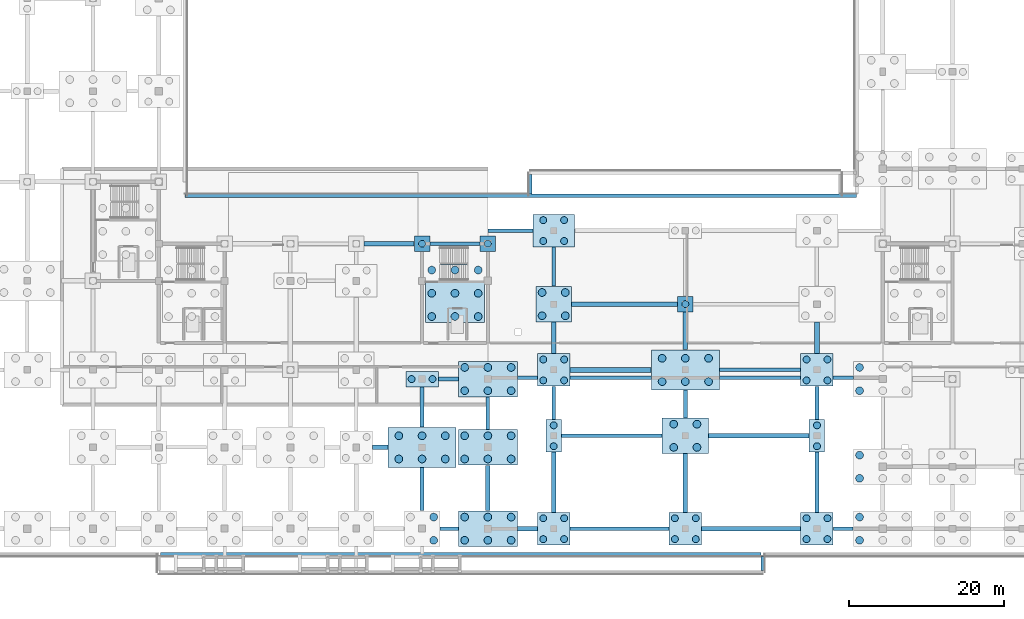
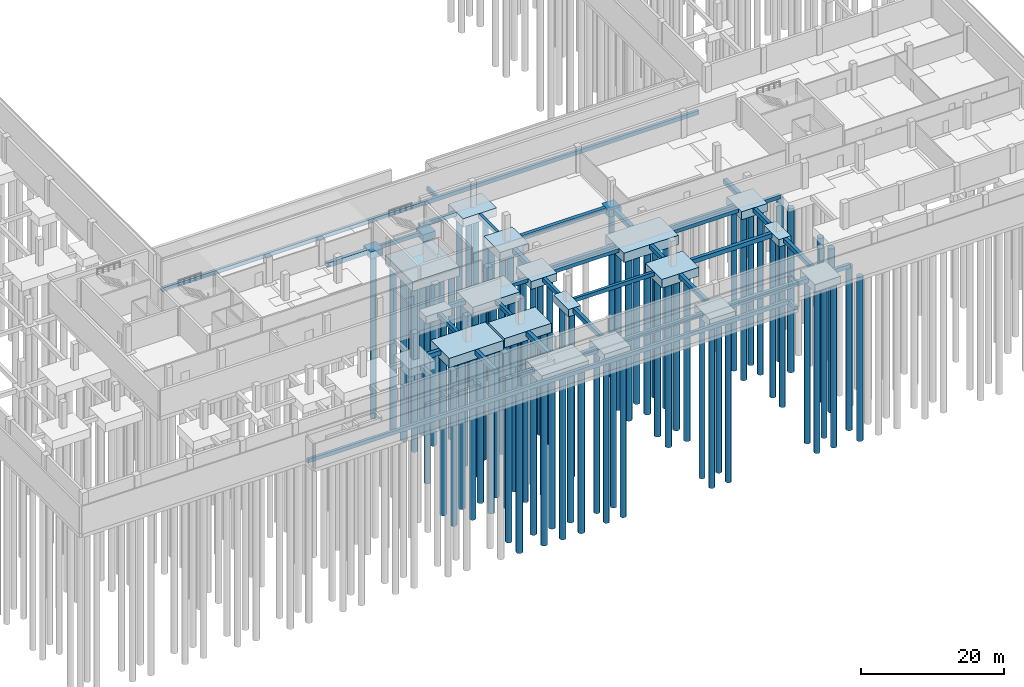
# One storey, part 3 of 25: 88 piles, 57 footings.
"""IFC4 building model written with IfcOpenShell, lengths in metres."""

from ifc_helpers import new_model, si_unit, direction, frame, origin, origin_2d, place, context, subcontext, project, spatial, rectangle, circle, extrude, material, material_profile, profile_set, type_object, element, save


model = new_model("IFC4")

# Units and contexts
model_context = context("Model", 3, precision=1e-05, world=origin(), true_north=direction((0.0, 1.0)))
body_context = subcontext(model_context, "Body", "Model", "MODEL_VIEW")
ifc_project = project(units=[si_unit("LENGTHUNIT", "METRE"), si_unit("AREAUNIT", "SQUARE_METRE"), si_unit("VOLUMEUNIT", "CUBIC_METRE"), si_unit("PLANEANGLEUNIT", "RADIAN"), si_unit("MASSUNIT", "GRAM", prefix="KILO")], contexts=[model_context])

# Site, building, storey
site_placement = place(None, origin())
site = spatial("IfcSite", under=ifc_project, at=site_placement, CompositionType="ELEMENT")
building_placement = place(site_placement, origin())
building = spatial("IfcBuilding", under=site, at=building_placement, Name="Solvikara Media Centre", CompositionType="ELEMENT")
storey_placement = place(building_placement, frame((0.0, 0.0, -4.800048828125)))
storey = spatial("IfcBuildingStorey", under=building, at=storey_placement, Name="B01", CompositionType="ELEMENT", Elevation=-4.800048828125)

# Piles
ifc_material = material(Name="Concrete fc' 35 MPa (C35/45)", Category="concrete")
ifc_material_profile_1 = material_profile(ifc_material, circle(Radius=0.449951171875, at=origin_2d()), Name="BORED PILE D900")
ifc_profile_set_1 = profile_set([ifc_material_profile_1], Name="Concrete fc' 35 MPa (C35/45)")
pile_type_1 = type_object("IfcPileType", Name="BP-01", PredefinedType="BORED", material=ifc_profile_set_1)
for number, where, z_axis, x_axis, name in (
    (1, (68.0, 36.800048828125, -1.099853515625), (0.0, 0.0, -1.0), (1.0, 0.0, 0.0), "PL-073-01"),
    (2, (76.5, 36.800048828125, -1.099853515625), (0.0, 0.0, -1.0), (1.0, 0.0, 0.0), "PL-076-01"),
    (3, (66.64990234375, 19.323974609375, -1.14990234375), (0.0, 0.0, -1.0), (1.0, 0.0, 0.0), "PL-077-01"),
    (4, (69.35009765625, 19.323974609375, -1.14990234375), (0.0, 0.0, -1.0), (1.0, 0.0, 0.0), "PL-077-02"),
    (5, (83.64990234375, -1.35009765625, -1.25), (0.0, 0.0, -1.0), (1.0, 0.0, 0.0), "PL-079-01"),
    (6, (86.35009765625, -1.35009765625, -1.25), (0.0, 0.0, -1.0), (1.0, 0.0, 0.0), "PL-079-02"),
    (7, (83.64990234375, 1.35009765625, -1.25), (0.0, 0.0, -1.0), (1.0, 0.0, 0.0), "PL-079-03"),
    (8, (86.35009765625, 1.35009765625, -1.25), (0.0, 0.0, -1.0), (1.0, 0.0, 0.0), "PL-079-04"),
    (9, (85.0, 10.64990234375, -1.14990234375), (0.0, 0.0, -1.0), (1.0, 0.0, 0.0), "PL-080-01"),
    (10, (85.0, 13.35009765625, -1.14990234375), (0.0, 0.0, -1.0), (1.0, 0.0, 0.0), "PL-080-02"),
    (11, (83.64990234375, 19.14990234375, -1.25), (0.0, 0.0, -1.0), (1.0, 0.0, 0.0), "PL-081-01"),
    (12, (86.35009765625, 19.14990234375, -1.25), (0.0, 0.0, -1.0), (1.0, 0.0, 0.0), "PL-081-02"),
    (13, (83.64990234375, 21.85009765625, -1.25), (0.0, 0.0, -1.0), (1.0, 0.0, 0.0), "PL-081-03"),
    (14, (86.35009765625, 21.85009765625, -1.25), (0.0, 0.0, -1.0), (1.0, 0.0, 0.0), "PL-081-04"),
    (15, (83.64990234375, 37.14990234375, -1.300048828125), (0.0, 0.0, -1.0), (1.0, 0.0, 0.0), "PL-083-01"),
    (16, (86.35009765625, 37.14990234375, -1.300048828125), (0.0, 0.0, -1.0), (1.0, 0.0, 0.0), "PL-083-02"),
    (17, (83.64990234375, 39.85009765625, -1.300048828125), (0.0, 0.0, -1.0), (1.0, 0.0, 0.0), "PL-083-03"),
    (18, (86.35009765625, 39.85009765625, -1.300048828125), (0.0, 0.0, -1.0), (1.0, 0.0, 0.0), "PL-083-04"),
    (19, (100.64990234375, -1.35009765625, -1.25), (0.0, 0.0, -1.0), (1.0, 0.0, 0.0), "PL-084-01"),
    (20, (103.35009765625, -1.35009765625, -1.25), (0.0, 0.0, -1.0), (1.0, 0.0, 0.0), "PL-084-02"),
    (21, (100.64990234375, 1.35009765625, -1.25), (0.0, 0.0, -1.0), (1.0, 0.0, 0.0), "PL-084-03"),
    (22, (103.35009765625, 1.35009765625, -1.25), (0.0, 0.0, -1.0), (1.0, 0.0, 0.0), "PL-084-04"),
    (23, (102.0, 29.0, -1.099853515625), (0.0, 0.0, -1.0), (1.0, 0.0, 0.0), "PL-087-01"),
    (24, (117.64990234375, -1.35009765625, -1.25), (0.0, 0.0, -1.0), (1.0, 0.0, 0.0), "PL-089-01"),
    (25, (120.35009765625, -1.35009765625, -1.25), (0.0, 0.0, -1.0), (1.0, 0.0, 0.0), "PL-089-02"),
    (26, (117.64990234375, 1.35009765625, -1.25), (0.0, 0.0, -1.0), (1.0, 0.0, 0.0), "PL-089-03"),
    (27, (120.35009765625, 1.35009765625, -1.25), (0.0, 0.0, -1.0), (1.0, 0.0, 0.0), "PL-089-04"),
    (28, (119.0, 10.64990234375, -1.14990234375), (0.0, 0.0, -1.0), (1.0, 0.0, 0.0), "PL-090-01"),
    (29, (119.0, 13.35009765625, -1.14990234375), (0.0, 0.0, -1.0), (1.0, 0.0, 0.0), "PL-090-02"),
    (30, (117.64990234375, 19.14990234375, -1.25), (0.0, 0.0, -1.0), (1.0, 0.0, 0.0), "PL-091-01"),
    (31, (120.35009765625, 19.14990234375, -1.25), (0.0, 0.0, -1.0), (1.0, 0.0, 0.0), "PL-091-02"),
    (32, (117.64990234375, 21.85009765625, -1.25), (0.0, 0.0, -1.0), (1.0, 0.0, 0.0), "PL-091-03"),
    (33, (120.35009765625, 21.85009765625, -1.25), (0.0, 0.0, -1.0), (1.0, 0.0, 0.0), "PL-091-04"),
):
    element("IfcPile", number, at=place(storey_placement, frame(where, z_axis=z_axis, x_axis=x_axis)), inside=storey, type_object=pile_type_1, Name=name, PredefinedType="BORED", context=body_context, shape_type="SweptSolid", body=[
        extrude(circle(Radius=0.449951171875, at=origin_2d()), origin(), (0.0, 0.0, 1.0), 28.0),
    ])
ifc_material_profile_2 = material_profile(ifc_material, circle(Radius=0.5, at=origin_2d()), Name="BORED PILE D1000")
ifc_profile_set_2 = profile_set([ifc_material_profile_2], Name="Concrete fc' 35 MPa (C35/45)")
pile_type_2 = type_object("IfcPileType", Name="BP-02", PredefinedType="BORED", material=ifc_profile_set_2)
for number, where, z_axis, x_axis, name in (
    (34, (69.25, 27.39990234375, -1.5), (0.0, 0.0, -1.0), (1.0, 0.0, 0.0), "PL-C3-01"),
    (35, (69.25, 30.39990234375, -1.5), (0.0, 0.0, -1.0), (1.0, 0.0, 0.0), "PL-C3-02"),
    (36, (69.25, 33.39990234375, -1.5), (0.0, 0.0, -1.0), (1.0, 0.0, 0.0), "PL-C3-03"),
    (37, (72.25, 27.39990234375, -1.5), (0.0, 0.0, -1.0), (1.0, 0.0, 0.0), "PL-C3-04"),
    (38, (72.25, 30.39990234375, -1.5), (0.0, 0.0, -1.0), (1.0, 0.0, 0.0), "PL-C3-05"),
    (39, (72.25, 33.39990234375, -1.5), (0.0, 0.0, -1.0), (1.0, 0.0, 0.0), "PL-C3-06"),
    (40, (75.25, 27.39990234375, -1.5), (0.0, 0.0, -1.0), (1.0, 0.0, 0.0), "PL-C3-07"),
    (41, (75.25, 30.39990234375, -1.5), (0.0, 0.0, -1.0), (1.0, 0.0, 0.0), "PL-C3-08"),
    (42, (75.25, 33.39990234375, -1.5), (0.0, 0.0, -1.0), (1.0, 0.0, 0.0), "PL-C3-09"),
    (43, (69.5, -1.5, -1.349853515625), (0.0, 0.0, -1.0), (1.0, 0.0, 0.0), "PL-071-02"),
    (44, (69.5, 1.5, -1.349853515625), (0.0, 0.0, -1.0), (1.0, 0.0, 0.0), "PL-071-04"),
    (45, (65.0, 9.0, -1.5), (0.0, 0.0, -1.0), (1.0, 0.0, 0.0), "PL-072-01"),
    (46, (68.0, 9.0, -1.5), (0.0, 0.0, -1.0), (1.0, 0.0, 0.0), "PL-072-02"),
    (47, (71.0, 9.0, -1.5), (0.0, 0.0, -1.0), (1.0, 0.0, 0.0), "PL-072-03"),
    (48, (65.0, 12.0, -1.5), (0.0, 0.0, -1.0), (1.0, 0.0, 0.0), "PL-072-04"),
    (49, (68.0, 12.0, -1.5), (0.0, 0.0, -1.0), (1.0, 0.0, 0.0), "PL-072-05"),
    (50, (71.0, 12.0, -1.5), (0.0, 0.0, -1.0), (1.0, 0.0, 0.0), "PL-072-06"),
    (51, (73.5, -1.5, -1.449951171875), (0.0, 0.0, -1.0), (1.0, 0.0, 0.0), "PL-074-01"),
    (52, (76.5, -1.5, -1.449951171875), (0.0, 0.0, -1.0), (1.0, 0.0, 0.0), "PL-074-02"),
    (53, (79.5, -1.5, -1.449951171875), (0.0, 0.0, -1.0), (1.0, 0.0, 0.0), "PL-074-03"),
    (54, (73.5, 1.5, -1.449951171875), (0.0, 0.0, -1.0), (1.0, 0.0, 0.0), "PL-074-04"),
    (55, (76.5, 1.5, -1.449951171875), (0.0, 0.0, -1.0), (1.0, 0.0, 0.0), "PL-074-05"),
    (56, (79.5, 1.5, -1.449951171875), (0.0, 0.0, -1.0), (1.0, 0.0, 0.0), "PL-074-06"),
    (57, (73.5, 9.0, -1.449951171875), (0.0, 0.0, -1.0), (1.0, 0.0, 0.0), "PL-075-01"),
    (58, (76.5, 9.0, -1.449951171875), (0.0, 0.0, -1.0), (1.0, 0.0, 0.0), "PL-075-02"),
    (59, (79.5, 9.0, -1.449951171875), (0.0, 0.0, -1.0), (1.0, 0.0, 0.0), "PL-075-03"),
    (60, (73.5, 12.0, -1.449951171875), (0.0, 0.0, -1.0), (1.0, 0.0, 0.0), "PL-075-04"),
    (61, (76.5, 12.0, -1.449951171875), (0.0, 0.0, -1.0), (1.0, 0.0, 0.0), "PL-075-05"),
    (62, (79.5, 12.0, -1.449951171875), (0.0, 0.0, -1.0), (1.0, 0.0, 0.0), "PL-075-06"),
    (63, (73.5, 17.823974609375, -1.449951171875), (0.0, 0.0, -1.0), (1.0, 0.0, 0.0), "PL-078-01"),
    (64, (76.5, 17.823974609375, -1.449951171875), (0.0, 0.0, -1.0), (1.0, 0.0, 0.0), "PL-078-02"),
    (65, (79.5, 17.823974609375, -1.449951171875), (0.0, 0.0, -1.0), (1.0, 0.0, 0.0), "PL-078-03"),
    (66, (73.5, 20.823974609375, -1.449951171875), (0.0, 0.0, -1.0), (1.0, 0.0, 0.0), "PL-078-04"),
    (67, (76.5, 20.823974609375, -1.449951171875), (0.0, 0.0, -1.0), (1.0, 0.0, 0.0), "PL-078-05"),
    (68, (79.5, 20.823974609375, -1.449951171875), (0.0, 0.0, -1.0), (1.0, 0.0, 0.0), "PL-078-06"),
    (69, (83.5, 27.5, -1.349853515625), (0.0, 0.0, -1.0), (1.0, 0.0, 0.0), "PL-082-01"),
    (70, (86.5, 27.5, -1.349853515625), (0.0, 0.0, -1.0), (1.0, 0.0, 0.0), "PL-082-02"),
    (71, (83.5, 30.5, -1.349853515625), (0.0, 0.0, -1.0), (1.0, 0.0, 0.0), "PL-082-03"),
    (72, (86.5, 30.5, -1.349853515625), (0.0, 0.0, -1.0), (1.0, 0.0, 0.0), "PL-082-04"),
    (73, (100.5, 10.5, -1.39990234375), (0.0, 0.0, -1.0), (1.0, 0.0, 0.0), "PL-085-01"),
    (74, (103.5, 10.5, -1.39990234375), (0.0, 0.0, -1.0), (1.0, 0.0, 0.0), "PL-085-02"),
    (75, (100.5, 13.5, -1.39990234375), (0.0, 0.0, -1.0), (1.0, 0.0, 0.0), "PL-085-03"),
    (76, (103.5, 13.5, -1.39990234375), (0.0, 0.0, -1.0), (1.0, 0.0, 0.0), "PL-085-04"),
    (77, (99.0, 19.0, -1.5), (0.0, 0.0, -1.0), (1.0, 0.0, 0.0), "PL-086-01"),
    (78, (102.0, 19.0, -1.5), (0.0, 0.0, -1.0), (1.0, 0.0, 0.0), "PL-086-02"),
    (79, (105.0, 19.0, -1.5), (0.0, 0.0, -1.0), (1.0, 0.0, 0.0), "PL-086-03"),
    (80, (99.0, 22.0, -1.5), (0.0, 0.0, -1.0), (1.0, 0.0, 0.0), "PL-086-04"),
    (81, (102.0, 22.0, -1.5), (0.0, 0.0, -1.0), (1.0, 0.0, 0.0), "PL-086-05"),
    (82, (105.0, 22.0, -1.5), (0.0, 0.0, -1.0), (1.0, 0.0, 0.0), "PL-086-06"),
    (83, (124.5, -1.5, -1.449951171875), (0.0, 0.0, -1.0), (1.0, 0.0, 0.0), "PL-094-01"),
    (84, (124.5, 1.5, -1.449951171875), (0.0, 0.0, -1.0), (1.0, 0.0, 0.0), "PL-094-04"),
    (85, (124.5, 6.5, -1.449951171875), (0.0, 0.0, -1.0), (1.0, 0.0, 0.0), "PL-095-01"),
    (86, (124.5, 9.5, -1.449951171875), (0.0, 0.0, -1.0), (1.0, 0.0, 0.0), "PL-095-04"),
    (87, (124.5, 17.823974609375, -1.449951171875), (0.0, 0.0, -1.0), (1.0, 0.0, 0.0), "PL-118-01"),
    (88, (124.5, 20.823974609375, -1.449951171875), (0.0, 0.0, -1.0), (1.0, 0.0, 0.0), "PL-118-04"),
):
    element("IfcPile", number, at=place(storey_placement, frame(where, z_axis=z_axis, x_axis=x_axis)), inside=storey, type_object=pile_type_2, Name=name, PredefinedType="BORED", context=body_context, shape_type="SweptSolid", body=[
        extrude(circle(Radius=0.5, at=origin_2d()), origin(), (0.0, 0.0, 1.0), 28.0),
    ])

# Footings
footing_type_1 = type_object("IfcFootingType", Name="FT-01", PredefinedType="PILE_CAP", material=ifc_material)
for number, where, z_axis, x_axis, name in (
    (89, (68.0, 36.800048828125, -1.19970703125), (0.0, 0.0, 1.0), (1.0, 0.0, 0.0), "PC-073"),
    (90, (76.5, 36.800048828125, -1.19970703125), (0.0, 0.0, 1.0), (1.0, 0.0, 0.0), "PC-076"),
    (91, (102.0, 29.0, -1.19970703125), (0.0, 0.0, 1.0), (1.0, 0.0, 0.0), "PC-087"),
):
    element("IfcFooting", number, at=place(storey_placement, frame(where, z_axis=z_axis, x_axis=x_axis)), inside=storey, type_object=footing_type_1, Name=name, PredefinedType="PILE_CAP", context=body_context, shape_type="SweptSolid", body=[
        extrude(rectangle(XDim=2.0, YDim=2.0, at=origin_2d()), origin(), (0.0, 0.0, 1.0), 1.199951171875),
    ])
footing_type_2 = type_object("IfcFootingType", Name="FT-02", PredefinedType="PILE_CAP", material=ifc_material)
footing_1_placement = place(storey_placement, frame((68.0, 19.323974609375, -1.25), z_axis=(0.0, 0.0, 1.0), x_axis=(1.0, 0.0, 0.0)))
element("IfcFooting", 92, at=footing_1_placement, inside=storey, type_object=footing_type_2, Name="PC-077", PredefinedType="PILE_CAP", context=body_context, shape_type="SweptSolid", body=[
    extrude(rectangle(XDim=4.199951171875, YDim=2.0, at=origin_2d()), origin(), (0.0, 0.0, 1.0), 1.25),
])
footing_type_3 = type_object("IfcFootingType", Name="FT-03", PredefinedType="PILE_CAP", material=ifc_material)
for number, where, z_axis, x_axis, name in (
    (93, (85.0, 12.0, -1.25), (0.0, 0.0, 1.0), (1.0, 0.0, 0.0), "PC-080"),
    (94, (119.0, 12.0, -1.25), (0.0, 0.0, 1.0), (1.0, 0.0, 0.0), "PC-090"),
):
    element("IfcFooting", number, at=place(storey_placement, frame(where, z_axis=z_axis, x_axis=x_axis)), inside=storey, type_object=footing_type_3, Name=name, PredefinedType="PILE_CAP", context=body_context, shape_type="SweptSolid", body=[
        extrude(rectangle(XDim=2.0, YDim=4.199951171875, at=origin_2d()), origin(), (0.0, 0.0, 1.0), 1.25),
    ])
footing_type_4 = type_object("IfcFootingType", Name="FT-04", PredefinedType="PILE_CAP", material=ifc_material)
for number, where, z_axis, x_axis, name in (
    (95, (85.0, 0.0, -1.35009765625), (0.0, 0.0, 1.0), (1.0, 0.0, 0.0), "PC-079"),
    (96, (85.0, 20.5, -1.35009765625), (0.0, 0.0, 1.0), (1.0, 0.0, 0.0), "PC-081"),
    (97, (102.0, 0.0, -1.35009765625), (0.0, 0.0, 1.0), (1.0, 0.0, 0.0), "PC-084"),
    (98, (119.0, 0.0, -1.35009765625), (0.0, 0.0, 1.0), (1.0, 0.0, 0.0), "PC-089"),
    (99, (119.0, 20.5, -1.35009765625), (0.0, 0.0, 1.0), (1.0, 0.0, 0.0), "PC-091"),
):
    element("IfcFooting", number, at=place(storey_placement, frame(where, z_axis=z_axis, x_axis=x_axis)), inside=storey, type_object=footing_type_4, Name=name, PredefinedType="PILE_CAP", context=body_context, shape_type="SweptSolid", body=[
        extrude(rectangle(XDim=4.199951171875, YDim=4.199951171875, at=origin_2d()), origin(), (0.0, 0.0, 1.0), 1.35009765625),
    ])
footing_type_5 = type_object("IfcFootingType", Name="FT-05", PredefinedType="PILE_CAP", material=ifc_material)
footing_2_placement = place(storey_placement, frame((85.0, 29.0, -1.44970703125), z_axis=(0.0, 0.0, 1.0), x_axis=(1.0, 0.0, 0.0)))
element("IfcFooting", 100, at=footing_2_placement, inside=storey, type_object=footing_type_5, Name="PC-082", PredefinedType="PILE_CAP", context=body_context, shape_type="SweptSolid", body=[
    extrude(rectangle(XDim=4.60009765625, YDim=4.60009765625, at=origin_2d()), origin(), (0.0, 0.0, 1.0), 1.449951171875),
])
footing_type_6 = type_object("IfcFootingType", Name="FT-06", PredefinedType="PILE_CAP", material=ifc_material)
for number, where, z_axis, x_axis, name in (
    (101, (76.5, 0.0, -1.5498046875), (0.0, 0.0, 1.0), (1.0, 0.0, 0.0), "PC-074"),
    (102, (76.5, 10.5, -1.5498046875), (0.0, 0.0, 1.0), (1.0, 0.0, 0.0), "PC-075"),
    (103, (76.5, 19.323974609375, -1.5498046875), (0.0, 0.0, 1.0), (1.0, 0.0, 0.0), "PC-078"),
):
    element("IfcFooting", number, at=place(storey_placement, frame(where, z_axis=z_axis, x_axis=x_axis)), inside=storey, type_object=footing_type_6, Name=name, PredefinedType="PILE_CAP", context=body_context, shape_type="SweptSolid", body=[
        extrude(rectangle(XDim=7.60009765625, YDim=4.60009765625, at=origin_2d()), origin(), (0.0, 0.0, 1.0), 1.550048828125),
    ])
footing_type_7 = type_object("IfcFootingType", Name="FT-07", PredefinedType="PILE_CAP", material=ifc_material)
footing_3_placement = place(storey_placement, frame((72.25, 30.39990234375, -1.60009765625), z_axis=(0.0, 0.0, 1.0), x_axis=(1.0, 0.0, 0.0)))
element("IfcFooting", 104, at=footing_3_placement, inside=storey, type_object=footing_type_7, Name="PC-C3", PredefinedType="PILE_CAP", context=body_context, shape_type="SweptSolid", body=[
    extrude(rectangle(XDim=7.60009765625, YDim=7.60009765625, at=origin_2d()), origin(), (0.0, 0.0, 1.0), 1.60009765625),
])
footing_type_8 = type_object("IfcFootingType", Name="FT-08", PredefinedType="PILE_CAP", material=ifc_material)
footing_4_placement = place(storey_placement, frame((85.0, 38.5, -1.39990234375), z_axis=(0.0, 0.0, 1.0), x_axis=(1.0, 0.0, 0.0)))
element("IfcFooting", 105, at=footing_4_placement, inside=storey, type_object=footing_type_8, Name="PC-083", PredefinedType="PILE_CAP", context=body_context, shape_type="SweptSolid", body=[
    extrude(rectangle(XDim=5.39990234375, YDim=4.199951171875, at=origin_2d()), origin(), (0.0, 0.0, 1.0), 1.39990234375),
])
footing_type_9 = type_object("IfcFootingType", Name="FT-09", PredefinedType="PILE_CAP", material=ifc_material)
footing_5_placement = place(storey_placement, frame((102.0, 12.0, -1.5), z_axis=(0.0, 0.0, 1.0), x_axis=(1.0, 0.0, 0.0)))
element("IfcFooting", 106, at=footing_5_placement, inside=storey, type_object=footing_type_9, Name="PC-085", PredefinedType="PILE_CAP", context=body_context, shape_type="SweptSolid", body=[
    extrude(rectangle(XDim=6.0, YDim=4.60009765625, at=origin_2d()), origin(), (0.0, 0.0, 1.0), 1.5),
])
footing_type_10 = type_object("IfcFootingType", Name="FT-10", PredefinedType="PILE_CAP", material=ifc_material)
for number, where, z_axis, x_axis, name in (
    (107, (68.0, 10.5, -1.60009765625), (0.0, 0.0, 1.0), (1.0, 0.0, 0.0), "PC-072"),
    (108, (102.0, 20.5, -1.60009765625), (0.0, 0.0, 1.0), (1.0, 0.0, 0.0), "PC-086"),
):
    element("IfcFooting", number, at=place(storey_placement, frame(where, z_axis=z_axis, x_axis=x_axis)), inside=storey, type_object=footing_type_10, Name=name, PredefinedType="PILE_CAP", context=body_context, shape_type="SweptSolid", body=[
        extrude(rectangle(XDim=8.800048828125, YDim=5.199951171875, at=origin_2d()), origin(), (0.0, 0.0, 1.0), 1.60009765625),
    ])
ifc_material_profile_3 = material_profile(ifc_material, rectangle(XDim=0.5, YDim=0.699951171875, at=origin_2d()), Name="RC 500x700")
ifc_profile_set_3 = profile_set([ifc_material_profile_3], Name="Concrete fc' 35 MPa (C35/45)")
footing_type_11 = type_object("IfcFootingType", Name="FT-11", PredefinedType="FOOTING_BEAM", material=ifc_profile_set_3)
footing_6_placement = place(storey_placement, frame((70.320068359375, 0.0, -0.349853515625), z_axis=(1.0, 0.0, 0.0), x_axis=(0.0, 1.0, 0.0)))
element("IfcFooting", 109, at=footing_6_placement, inside=storey, type_object=footing_type_11, Name="FTB-009", PredefinedType="FOOTING_BEAM", context=body_context, shape_type="SweptSolid", body=[
    extrude(rectangle(XDim=0.5, YDim=0.699951171875, at=origin_2d()), origin(), (0.0, 0.0, 1.0), 2.35986328125),
])
for number, where, z_axis, x_axis, name in (
    (110, (121.1201171875, 0.0, -0.349853515625), (1.0, 0.0, 0.0), (0.0, 1.0, 0.0), "FTB-013"),
    (111, (70.1201171875, 19.323974609375, -0.349853515625), (1.0, 0.0, 0.0), (0.0, 1.0, 0.0), "FTB-029"),
):
    element("IfcFooting", number, at=place(storey_placement, frame(where, z_axis=z_axis, x_axis=x_axis)), inside=storey, type_object=footing_type_11, Name=name, PredefinedType="FOOTING_BEAM", context=body_context, shape_type="SweptSolid", body=[
        extrude(rectangle(XDim=0.5, YDim=0.699951171875, at=origin_2d()), origin(), (0.0, 0.0, 1.0), 2.559814453125),
    ])
footing_7_placement = place(storey_placement, frame((68.0, 13.1201171875, -0.349853515625), z_axis=(0.0, 1.0, 0.0), x_axis=(-1.0, 0.0, 0.0)))
element("IfcFooting", 112, at=footing_7_placement, inside=storey, type_object=footing_type_11, Name="FTB-165", PredefinedType="FOOTING_BEAM", context=body_context, shape_type="SweptSolid", body=[
    extrude(rectangle(XDim=0.5, YDim=0.699951171875, at=origin_2d()), origin(), (0.0, 0.0, 1.0), 5.183837890625),
])
footing_8_placement = place(storey_placement, frame((85.0, 14.1201171875, -0.349853515625), z_axis=(0.0, 1.0, 0.0), x_axis=(-1.0, 0.0, 0.0)))
element("IfcFooting", 113, at=footing_8_placement, inside=storey, type_object=footing_type_11, Name="FTB-169", PredefinedType="FOOTING_BEAM", context=body_context, shape_type="SweptSolid", body=[
    extrude(rectangle(XDim=0.5, YDim=0.699951171875, at=origin_2d()), origin(), (0.0, 0.0, 1.0), 4.259765625),
])
footing_9_placement = place(storey_placement, frame((102.0, 14.320068359375, -0.349853515625), z_axis=(0.0, 1.0, 0.0), x_axis=(-1.0, 0.0, 0.0)))
element("IfcFooting", 114, at=footing_9_placement, inside=storey, type_object=footing_type_11, Name="FTB-173", PredefinedType="FOOTING_BEAM", context=body_context, shape_type="SweptSolid", body=[
    extrude(rectangle(XDim=0.5, YDim=0.699951171875, at=origin_2d()), origin(), (0.0, 0.0, 1.0), 3.559814453125),
])
footing_10_placement = place(storey_placement, frame((119.0, 14.1201171875, -0.349853515625), z_axis=(0.0, 1.0, 0.0), x_axis=(-1.0, 0.0, 0.0)))
element("IfcFooting", 115, at=footing_10_placement, inside=storey, type_object=footing_type_11, Name="FTB-177", PredefinedType="FOOTING_BEAM", context=body_context, shape_type="SweptSolid", body=[
    extrude(rectangle(XDim=0.5, YDim=0.699951171875, at=origin_2d()), origin(), (0.0, 0.0, 1.0), 4.259765625),
])
ifc_material_profile_4 = material_profile(ifc_material, rectangle(XDim=0.60009765625, YDim=0.800048828125, at=origin_2d()), Name="RC 600x800")
ifc_profile_set_4 = profile_set([ifc_material_profile_4], Name="Concrete fc' 35 MPa (C35/45)")
footing_type_12 = type_object("IfcFootingType", Name="FT-12", PredefinedType="FOOTING_BEAM", material=ifc_profile_set_4)
footing_11_placement = place(storey_placement, frame((80.320068359375, 0.0, -0.39990234375), z_axis=(1.0, 0.0, 0.0), x_axis=(0.0, 1.0, 0.0)))
element("IfcFooting", 116, at=footing_11_placement, inside=storey, type_object=footing_type_12, Name="FTB-010", PredefinedType="FOOTING_BEAM", context=body_context, shape_type="SweptSolid", body=[
    extrude(rectangle(XDim=0.60009765625, YDim=0.800048828125, at=origin_2d()), origin(), (0.0, 0.0, 1.0), 2.559814453125),
])
footing_12_placement = place(storey_placement, frame((61.6201171875, 10.5, -0.39990234375), z_axis=(1.0, 0.0, 0.0), x_axis=(0.0, 1.0, 0.0)))
element("IfcFooting", 117, at=footing_12_placement, inside=storey, type_object=footing_type_12, Name="FTB-026", PredefinedType="FOOTING_BEAM", context=body_context, shape_type="SweptSolid", body=[
    extrude(rectangle(XDim=0.60009765625, YDim=0.800048828125, at=origin_2d()), origin(), (0.0, 0.0, 1.0), 1.9599609375),
])
footing_13_placement = place(storey_placement, frame((87.1201171875, 20.5, -0.39990234375), z_axis=(1.0, 0.0, 0.0), x_axis=(0.0, 1.0, 0.0)))
element("IfcFooting", 118, at=footing_13_placement, inside=storey, type_object=footing_type_12, Name="FTB-038", PredefinedType="FOOTING_BEAM", context=body_context, shape_type="SweptSolid", body=[
    extrude(rectangle(XDim=0.60009765625, YDim=0.800048828125, at=origin_2d()), origin(), (0.0, 0.0, 1.0), 10.4599609375),
])
footing_14_placement = place(storey_placement, frame((87.320068359375, 29.0, -0.39990234375), z_axis=(1.0, 0.0, 0.0), x_axis=(0.0, 1.0, 0.0)))
element("IfcFooting", 119, at=footing_14_placement, inside=storey, type_object=footing_type_12, Name="FTB-042", PredefinedType="FOOTING_BEAM", context=body_context, shape_type="SweptSolid", body=[
    extrude(rectangle(XDim=0.60009765625, YDim=0.800048828125, at=origin_2d()), origin(), (0.0, 0.0, 1.0), 13.659912109375),
])
footing_15_placement = place(storey_placement, frame((60.52001953125, 36.800048828125, -0.39990234375), z_axis=(1.0, 0.0, 0.0), x_axis=(0.0, 1.0, 0.0)))
element("IfcFooting", 120, at=footing_15_placement, inside=storey, type_object=footing_type_12, Name="FTB-050", PredefinedType="FOOTING_BEAM", context=body_context, shape_type="SweptSolid", body=[
    extrude(rectangle(XDim=0.60009765625, YDim=0.800048828125, at=origin_2d()), origin(), (0.0, 0.0, 1.0), 6.4599609375),
])
footing_16_placement = place(storey_placement, frame((76.5, 2.320068359375, -0.39990234375), z_axis=(0.0, 1.0, 0.0), x_axis=(-1.0, 0.0, 0.0)))
element("IfcFooting", 121, at=footing_16_placement, inside=storey, type_object=footing_type_12, Name="FTB-166", PredefinedType="FOOTING_BEAM", context=body_context, shape_type="SweptSolid", body=[
    extrude(rectangle(XDim=0.60009765625, YDim=0.800048828125, at=origin_2d()), origin(), (0.0, 0.0, 1.0), 5.85986328125),
])
footing_17_placement = place(storey_placement, frame((85.0, 22.6201171875, -0.39990234375), z_axis=(0.0, 1.0, 0.0), x_axis=(-1.0, 0.0, 0.0)))
element("IfcFooting", 122, at=footing_17_placement, inside=storey, type_object=footing_type_12, Name="FTB-170", PredefinedType="FOOTING_BEAM", context=body_context, shape_type="SweptSolid", body=[
    extrude(rectangle(XDim=0.60009765625, YDim=0.800048828125, at=origin_2d()), origin(), (0.0, 0.0, 1.0), 4.059814453125),
])
footing_18_placement = place(storey_placement, frame((102.0, 23.1201171875, -0.39990234375), z_axis=(0.0, 1.0, 0.0), x_axis=(-1.0, 0.0, 0.0)))
element("IfcFooting", 123, at=footing_18_placement, inside=storey, type_object=footing_type_12, Name="FTB-174", PredefinedType="FOOTING_BEAM", context=body_context, shape_type="SweptSolid", body=[
    extrude(rectangle(XDim=0.60009765625, YDim=0.800048828125, at=origin_2d()), origin(), (0.0, 0.0, 1.0), 4.85986328125),
])
footing_19_placement = place(storey_placement, frame((119.0, 22.6201171875, -0.39990234375), z_axis=(0.0, 1.0, 0.0), x_axis=(-1.0, 0.0, 0.0)))
element("IfcFooting", 124, at=footing_19_placement, inside=storey, type_object=footing_type_12, Name="FTB-178", PredefinedType="FOOTING_BEAM", context=body_context, shape_type="SweptSolid", body=[
    extrude(rectangle(XDim=0.60009765625, YDim=0.800048828125, at=origin_2d()), origin(), (0.0, 0.0, 1.0), 4.059814453125),
])
ifc_material_profile_5 = material_profile(ifc_material, rectangle(XDim=0.449951171875, YDim=0.64990234375, at=origin_2d()), Name="RC 450x650")
ifc_profile_set_5 = profile_set([ifc_material_profile_5], Name="Concrete fc' 35 MPa (C35/45)")
footing_type_13 = type_object("IfcFootingType", Name="FT-13", PredefinedType="FOOTING_BEAM", material=ifc_profile_set_5)
footing_20_placement = place(storey_placement, frame((87.1201171875, 0.0, -0.324951171875), z_axis=(1.0, 0.0, 0.0), x_axis=(0.0, 1.0, 0.0)))
element("IfcFooting", 125, at=footing_20_placement, inside=storey, type_object=footing_type_13, Name="FTB-011", PredefinedType="FOOTING_BEAM", context=body_context, shape_type="SweptSolid", body=[
    extrude(rectangle(XDim=0.449951171875, YDim=0.64990234375, at=origin_2d()), origin(), (0.0, 0.0, 1.0), 12.759765625),
])
footing_21_placement = place(storey_placement, frame((86.02001953125, 12.0, -0.324951171875), z_axis=(1.0, 0.0, 0.0), x_axis=(0.0, 1.0, 0.0)))
element("IfcFooting", 126, at=footing_21_placement, inside=storey, type_object=footing_type_13, Name="FTB-027", PredefinedType="FOOTING_BEAM", context=body_context, shape_type="SweptSolid", body=[
    extrude(rectangle(XDim=0.449951171875, YDim=0.64990234375, at=origin_2d()), origin(), (0.0, 0.0, 1.0), 12.9599609375),
])
footing_22_placement = place(storey_placement, frame((106.419921875, 20.5, -0.324951171875), z_axis=(1.0, 0.0, 0.0), x_axis=(0.0, 1.0, 0.0)))
element("IfcFooting", 127, at=footing_22_placement, inside=storey, type_object=footing_type_13, Name="FTB-039", PredefinedType="FOOTING_BEAM", context=body_context, shape_type="SweptSolid", body=[
    extrude(rectangle(XDim=0.449951171875, YDim=0.64990234375, at=origin_2d()), origin(), (0.0, 0.0, 1.0), 10.4599609375),
])
footing_23_placement = place(storey_placement, frame((69.02001953125, 36.800048828125, -0.324951171875), z_axis=(1.0, 0.0, 0.0), x_axis=(0.0, 1.0, 0.0)))
element("IfcFooting", 128, at=footing_23_placement, inside=storey, type_object=footing_type_13, Name="FTB-051", PredefinedType="FOOTING_BEAM", context=body_context, shape_type="SweptSolid", body=[
    extrude(rectangle(XDim=0.449951171875, YDim=0.64990234375, at=origin_2d()), origin(), (0.0, 0.0, 1.0), 6.4599609375),
])
footing_24_placement = place(storey_placement, frame((76.5, 12.820068359375, -0.324951171875), z_axis=(0.0, 1.0, 0.0), x_axis=(-1.0, 0.0, 0.0)))
element("IfcFooting", 129, at=footing_24_placement, inside=storey, type_object=footing_type_13, Name="FTB-167", PredefinedType="FOOTING_BEAM", context=body_context, shape_type="SweptSolid", body=[
    extrude(rectangle(XDim=0.449951171875, YDim=0.64990234375, at=origin_2d()), origin(), (0.0, 0.0, 1.0), 4.183837890625),
])
footing_25_placement = place(storey_placement, frame((85.0, 31.320068359375, -0.324951171875), z_axis=(0.0, 1.0, 0.0), x_axis=(-1.0, 0.0, 0.0)))
element("IfcFooting", 130, at=footing_25_placement, inside=storey, type_object=footing_type_13, Name="FTB-171", PredefinedType="FOOTING_BEAM", context=body_context, shape_type="SweptSolid", body=[
    extrude(rectangle(XDim=0.449951171875, YDim=0.64990234375, at=origin_2d()), origin(), (0.0, 0.0, 1.0), 5.059814453125),
])
footing_26_placement = place(storey_placement, frame((80.300048828125, 19.5, -0.324951171875), z_axis=(1.0, 0.0, 0.0), x_axis=(0.0, 1.0, 0.0)))
element("IfcFooting", 131, at=footing_26_placement, inside=storey, type_object=footing_type_13, Name="FTB-227", PredefinedType="FOOTING_BEAM", context=body_context, shape_type="SweptSolid", body=[
    extrude(rectangle(XDim=0.449951171875, YDim=0.64990234375, at=origin_2d()), origin(), (0.0, 0.0, 1.0), 2.599853515625),
])
for number, where, z_axis, x_axis, name in (
    (132, (87.10009765625, 19.5, -0.324951171875), (1.0, 0.0, 0.0), (0.0, 1.0, 0.0), "FTB-228"),
    (133, (106.39990234375, 19.5, -0.324951171875), (1.0, 0.0, 0.0), (0.0, 1.0, 0.0), "FTB-229"),
):
    element("IfcFooting", number, at=place(storey_placement, frame(where, z_axis=z_axis, x_axis=x_axis)), inside=storey, type_object=footing_type_13, Name=name, PredefinedType="FOOTING_BEAM", context=body_context, shape_type="SweptSolid", body=[
        extrude(rectangle(XDim=0.449951171875, YDim=0.64990234375, at=origin_2d()), origin(), (0.0, 0.0, 1.0), 10.5),
    ])
footing_27_placement = place(storey_placement, frame((121.10009765625, 19.5, -0.324951171875), z_axis=(1.0, 0.0, 0.0), x_axis=(0.0, 1.0, 0.0)))
element("IfcFooting", 134, at=footing_27_placement, inside=storey, type_object=footing_type_13, Name="FTB-230", PredefinedType="FOOTING_BEAM", context=body_context, shape_type="SweptSolid", body=[
    extrude(rectangle(XDim=0.449951171875, YDim=0.64990234375, at=origin_2d()), origin(), (0.0, 0.0, 1.0), 2.599853515625),
])
footing_28_placement = place(storey_placement, frame((76.5, 38.5, -0.324951171875), z_axis=(1.0, 0.0, 0.0), x_axis=(0.0, 1.0, 0.0)))
element("IfcFooting", 135, at=footing_28_placement, inside=storey, type_object=footing_type_13, Name="FTB-231", PredefinedType="FOOTING_BEAM", context=body_context, shape_type="SweptSolid", body=[
    extrude(rectangle(XDim=0.449951171875, YDim=0.64990234375, at=origin_2d()), origin(), (0.0, 0.0, 1.0), 5.800048828125),
])
footing_29_placement = place(storey_placement, frame((37.3798828125, 43.0, -0.324951171875), z_axis=(1.0, 0.0, 0.0), x_axis=(0.0, 1.0, 0.0)))
element("IfcFooting", 136, at=footing_29_placement, inside=storey, type_object=footing_type_13, Name="FTB-237", PredefinedType="FOOTING_BEAM", context=body_context, shape_type="SweptSolid", body=[
    extrude(rectangle(XDim=0.449951171875, YDim=0.64990234375, at=origin_2d()), origin(), (0.0, 0.0, 1.0), 86.740234375),
])
footing_30_placement = place(storey_placement, frame((34.22998046875, -3.330078125, -0.324951171875), z_axis=(1.0, 0.0, 0.0), x_axis=(0.0, 1.0, 0.0)))
element("IfcFooting", 137, at=footing_30_placement, inside=storey, type_object=footing_type_13, Name="FTB-249", PredefinedType="FOOTING_BEAM", context=body_context, shape_type="SweptSolid", body=[
    extrude(rectangle(XDim=0.449951171875, YDim=0.64990234375, at=origin_2d()), origin(), (0.0, 0.0, 1.0), 77.5400390625),
])
footing_31_placement = place(storey_placement, frame((112.0, -5.39990234375, -0.324951171875), z_axis=(0.0, 1.0, 0.0), x_axis=(-1.0, 0.0, 0.0)))
element("IfcFooting", 138, at=footing_31_placement, inside=storey, type_object=footing_type_13, Name="FTB-252", PredefinedType="FOOTING_BEAM", context=body_context, shape_type="SweptSolid", body=[
    extrude(rectangle(XDim=0.449951171875, YDim=0.64990234375, at=origin_2d()), origin(), (0.0, 0.0, 1.0), 1.83984375),
])
footing_32_placement = place(storey_placement, frame((82.0, 43.22998046875, -0.324951171875), z_axis=(0.0, 1.0, 0.0), x_axis=(-1.0, 0.0, 0.0)))
element("IfcFooting", 139, at=footing_32_placement, inside=storey, type_object=footing_type_13, Name="FTB-254", PredefinedType="FOOTING_BEAM", context=body_context, shape_type="SweptSolid", body=[
    extrude(rectangle(XDim=0.449951171875, YDim=0.64990234375, at=origin_2d()), origin(), (0.0, 0.0, 1.0), 2.52001953125),
])
ifc_material_profile_6 = material_profile(ifc_material, rectangle(XDim=0.550048828125, YDim=0.75, at=origin_2d()), Name="RC 550x750")
ifc_profile_set_6 = profile_set([ifc_material_profile_6], Name="Concrete fc' 35 MPa (C35/45)")
footing_type_14 = type_object("IfcFootingType", Name="FT-14", PredefinedType="FOOTING_BEAM", material=ifc_profile_set_6)
footing_33_placement = place(storey_placement, frame((104.1201171875, 0.0, -0.375), z_axis=(1.0, 0.0, 0.0), x_axis=(0.0, 1.0, 0.0)))
element("IfcFooting", 140, at=footing_33_placement, inside=storey, type_object=footing_type_14, Name="FTB-012", PredefinedType="FOOTING_BEAM", context=body_context, shape_type="SweptSolid", body=[
    extrude(rectangle(XDim=0.550048828125, YDim=0.75, at=origin_2d()), origin(), (0.0, 0.0, 1.0), 12.759765625),
])
footing_34_placement = place(storey_placement, frame((105.02001953125, 12.0, -0.375), z_axis=(1.0, 0.0, 0.0), x_axis=(0.0, 1.0, 0.0)))
element("IfcFooting", 141, at=footing_34_placement, inside=storey, type_object=footing_type_14, Name="FTB-028", PredefinedType="FOOTING_BEAM", context=body_context, shape_type="SweptSolid", body=[
    extrude(rectangle(XDim=0.550048828125, YDim=0.75, at=origin_2d()), origin(), (0.0, 0.0, 1.0), 12.9599609375),
])
footing_35_placement = place(storey_placement, frame((68.0, 2.320068359375, -0.375), z_axis=(0.0, 1.0, 0.0), x_axis=(-1.0, 0.0, 0.0)))
element("IfcFooting", 142, at=footing_35_placement, inside=storey, type_object=footing_type_14, Name="FTB-164", PredefinedType="FOOTING_BEAM", context=body_context, shape_type="SweptSolid", body=[
    extrude(rectangle(XDim=0.550048828125, YDim=0.75, at=origin_2d()), origin(), (0.0, 0.0, 1.0), 5.559814453125),
])
footing_36_placement = place(storey_placement, frame((85.0, 2.1201171875, -0.375), z_axis=(0.0, 1.0, 0.0), x_axis=(-1.0, 0.0, 0.0)))
element("IfcFooting", 143, at=footing_36_placement, inside=storey, type_object=footing_type_14, Name="FTB-168", PredefinedType="FOOTING_BEAM", context=body_context, shape_type="SweptSolid", body=[
    extrude(rectangle(XDim=0.550048828125, YDim=0.75, at=origin_2d()), origin(), (0.0, 0.0, 1.0), 7.759765625),
])
footing_37_placement = place(storey_placement, frame((102.0, 2.1201171875, -0.375), z_axis=(0.0, 1.0, 0.0), x_axis=(-1.0, 0.0, 0.0)))
element("IfcFooting", 144, at=footing_37_placement, inside=storey, type_object=footing_type_14, Name="FTB-172", PredefinedType="FOOTING_BEAM", context=body_context, shape_type="SweptSolid", body=[
    extrude(rectangle(XDim=0.550048828125, YDim=0.75, at=origin_2d()), origin(), (0.0, 0.0, 1.0), 7.559814453125),
])
footing_38_placement = place(storey_placement, frame((119.0, 2.1201171875, -0.375), z_axis=(0.0, 1.0, 0.0), x_axis=(-1.0, 0.0, 0.0)))
element("IfcFooting", 145, at=footing_38_placement, inside=storey, type_object=footing_type_14, Name="FTB-176", PredefinedType="FOOTING_BEAM", context=body_context, shape_type="SweptSolid", body=[
    extrude(rectangle(XDim=0.550048828125, YDim=0.75, at=origin_2d()), origin(), (0.0, 0.0, 1.0), 7.759765625),
])

save(model, "model.ifc")
